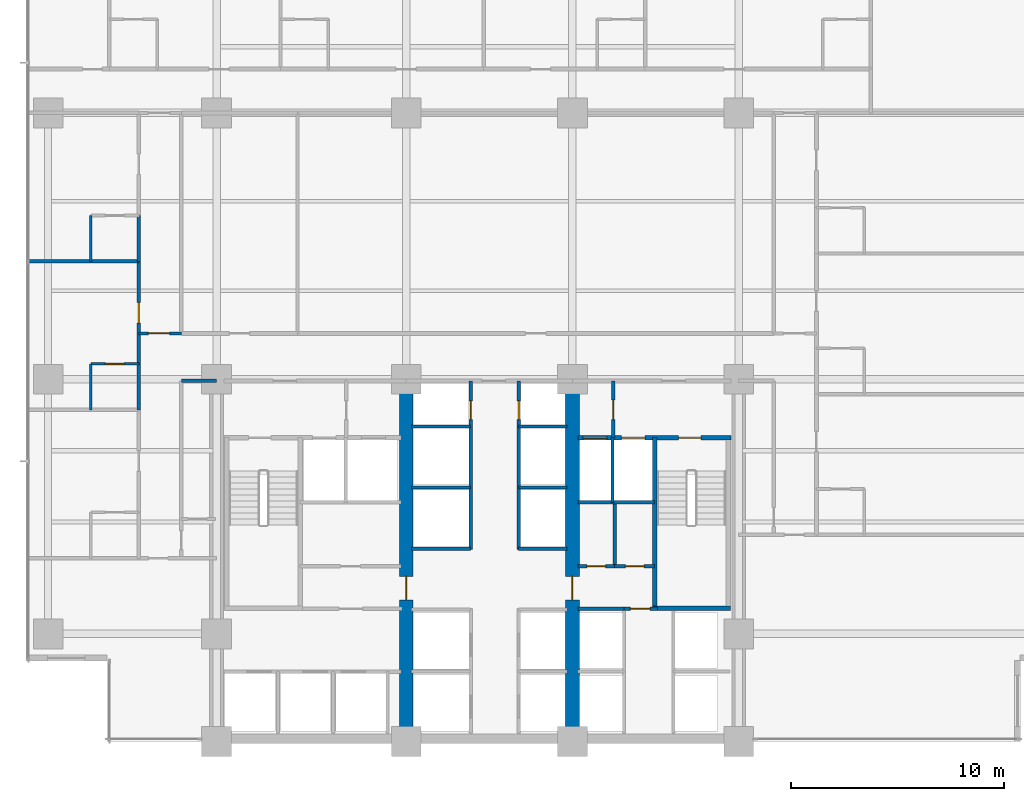
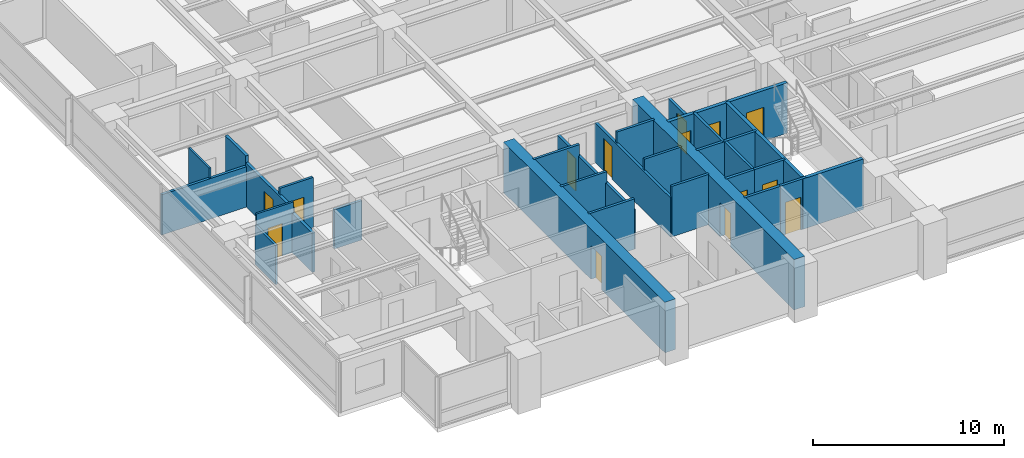
# One storey, part 8 of 17: 30 walls, 14 doors, 14 openings.
"""IFC4 building model written with IfcOpenShell, lengths in metres."""

import ifcopenshell
import ifcopenshell.guid

model = None  # the IFC model being written
_history = None  # IfcOwnerHistory: only IFC2X3 demands one
_inside = {}  # id of a spatial element -> (the spatial element, [elements in it])
_under = {}  # id of a project, library or spatial element -> (it, [spatial elements below it])
_declared = {}  # id of a project -> (the project, [libraries it declares])
_typed = {}  # id of a type object -> (the type object, [elements of that type])
_made_of = {}  # id of a material, layer set ... -> (it, [elements and type objects made of it])


def new_model(schema):
    """Start an empty IFC model of exactly this schema.

    Asked for "IFC4X3", IfcOpenShell would pick the latest addendum, in which some entities
    have other attributes; the version numbers below select the first issue.
    IFC2X3 requires an IfcOwnerHistory on every rooted entity: one is made here for all.
    """
    global model, _history
    if schema == "IFC4X3":
        model = ifcopenshell.file(schema_version=(4, 3, 0, 0))
    else:
        model = ifcopenshell.file(schema=schema)
    _inside.clear()
    _under.clear()
    _declared.clear()
    _typed.clear()
    _made_of.clear()
    _history = None
    if model.schema == "IFC2X3":
        org = make("IfcOrganization", Name="unknown")
        user = make(
            "IfcPersonAndOrganization",
            ThePerson=make("IfcPerson", FamilyName="unknown"),
            TheOrganization=org,
        )
        app = make(
            "IfcApplication",
            ApplicationDeveloper=org,
            Version="unknown",
            ApplicationFullName="unknown",
            ApplicationIdentifier="unknown",
        )
        _history = make(
            "IfcOwnerHistory",
            OwningUser=user,
            OwningApplication=app,
            ChangeAction="ADDED",
            CreationDate=0,
        )
    return model


def make(cls, **values):
    """One entity of the class cls with the attributes given. An attribute that is None is left unset."""
    return model.create_entity(
        cls, **{name: value for name, value in values.items() if value is not None}
    )


def rooted(cls, **values):
    """An entity with a GlobalId (a new one), such as an element, a storey or a relation."""
    return make(cls, GlobalId=ifcopenshell.guid.new(), OwnerHistory=_history, **values)


def si_unit(unit_type, name, prefix=None):
    """IfcSIUnit, for example si_unit("LENGTHUNIT", "METRE", prefix="MILLI")."""
    return make("IfcSIUnit", UnitType=unit_type, Prefix=prefix, Name=name)


def assignment(units):
    """IfcUnitAssignment: the units of a project."""
    return None if units is None else make("IfcUnitAssignment", Units=units)


def point(xyz):
    """IfcCartesianPoint."""
    return None if xyz is None else make("IfcCartesianPoint", Coordinates=xyz)


def direction(xyz):
    """IfcDirection."""
    return None if xyz is None else make("IfcDirection", DirectionRatios=xyz)


def frame(location, z_axis=None, x_axis=None):
    """IfcAxis2Placement3D, a coordinate frame: its origin and axes. An axis left out is left unset."""
    return make(
        "IfcAxis2Placement3D",
        Location=point(location),
        Axis=direction(z_axis),
        RefDirection=direction(x_axis),
    )


def frame_2d(location, x_axis=None):
    """IfcAxis2Placement2D, a coordinate frame in the plane: its origin and x axis."""
    return make(
        "IfcAxis2Placement2D", Location=point(location), RefDirection=direction(x_axis)
    )


def origin():
    """The frame at (0, 0, 0) with its axes left unset."""
    return frame((0.0, 0.0, 0.0))


def place(relative_to, where):
    """IfcLocalPlacement: puts the frame where relative to a parent placement (None: the world)."""
    return make(
        "IfcLocalPlacement", PlacementRelTo=relative_to, RelativePlacement=where
    )


def context(
    kind, dimensions, precision=None, world=None, true_north=None, identifier=None
):
    """IfcGeometricRepresentationContext, for example the 3D "Model" context."""
    return make(
        "IfcGeometricRepresentationContext",
        ContextIdentifier=identifier,
        ContextType=kind,
        CoordinateSpaceDimension=dimensions,
        Precision=precision,
        WorldCoordinateSystem=world,
        TrueNorth=true_north,
    )


def subcontext(parent, identifier, kind, view, scale=None):
    """IfcGeometricRepresentationSubContext, for example "Body" below "Model"."""
    return make(
        "IfcGeometricRepresentationSubContext",
        ContextIdentifier=identifier,
        ContextType=kind,
        ParentContext=parent,
        TargetScale=scale,
        TargetView=view,
    )


def project(units=None, contexts=None):
    """IfcProject with its units and contexts."""
    return rooted(
        "IfcProject",
        Name="project",
        RepresentationContexts=contexts,
        UnitsInContext=assignment(units),
    )


def spatial(cls, under=None, at=None, **own):
    """A site, building, storey or space (cls), placed at a placement, below another one or the project."""
    s = rooted(cls, ObjectPlacement=at, **own)
    if under is not None:
        _under.setdefault(under.id(), (under, []))[1].append(s)
    return s


def profile(cls, at=None, kind="AREA", **sizes):
    """A parametric profile (cls). Its sizes go by their IFC names, for example OverallWidth=200.0."""
    return make(cls, ProfileType=kind, Position=at, **sizes)


def rectangle(**sizes):
    """IfcRectangleProfileDef."""
    return profile("IfcRectangleProfileDef", **sizes)


def extrude(swept, where, along, depth):
    """IfcExtrudedAreaSolid: the profile swept, set in the frame where, extruded along a direction by depth."""
    return make(
        "IfcExtrudedAreaSolid",
        SweptArea=swept,
        Position=where,
        ExtrudedDirection=direction(along),
        Depth=depth,
    )


def shape(context_of_items, identifier, shape_type, items):
    """IfcShapeRepresentation: the items that make up one representation, for example the "Body"."""
    return make(
        "IfcShapeRepresentation",
        ContextOfItems=context_of_items,
        RepresentationIdentifier=identifier,
        RepresentationType=shape_type,
        Items=items,
    )


def material(Name=None, Category=None):
    """IfcMaterial."""
    return make("IfcMaterial", Name=Name, Category=Category)


def layer(
    of_material, thickness, ventilated=None, Name=None, Category=None, Priority=None
):
    """IfcMaterialLayer: one layer of a wall or slab, of a material (None: an air gap)."""
    return make(
        "IfcMaterialLayer",
        Material=of_material,
        LayerThickness=thickness,
        IsVentilated=ventilated,
        Name=Name,
        Category=Category,
        Priority=Priority,
    )


def layer_set(layers, Name=None):
    """IfcMaterialLayerSet."""
    return make("IfcMaterialLayerSet", MaterialLayers=layers, LayerSetName=Name)


def made_of(thing, what):
    """Note that an element or type object is made of a material, layer set ...; save() writes the relation."""
    if what is not None:
        _made_of.setdefault(what.id(), (what, []))[1].append(thing)
    return thing


def type_object(cls, material=None, **own):
    """A type object (cls), such as IfcWallType, which elements share."""
    return made_of(rooted(cls, **own), material)


def element(
    cls,
    number,
    at=None,
    inside=None,
    cuts=None,
    type_object=None,
    material=None,
    context=None,
    identifier="Body",
    shape_type=None,
    held_by="IfcProductDefinitionShape",
    body=None,
    shapes=None,
    **own,
):
    """One element of the class cls, such as IfcWall. Its Tag is "e" and its number.

    at: its placement. inside: the storey or other place that contains it. cuts: it is an
    opening in that element (IfcRelVoidsElement). A single representation is given by context,
    identifier, shape_type and body (its items); several are given by shapes. held_by: the class
    of the entity that holds the representations. save() writes the other relations.
    """
    e = rooted(cls, Tag="e%d" % number, ObjectPlacement=at, **own)
    if body is not None:
        shapes = [shape(context, identifier, shape_type, body)]
    if shapes is not None:
        e.Representation = make(held_by, Representations=shapes)
    if inside is not None:
        _inside.setdefault(inside.id(), (inside, []))[1].append(e)
    if cuts is not None:
        rooted(
            "IfcRelVoidsElement", RelatingBuildingElement=cuts, RelatedOpeningElement=e
        )
    if type_object is not None:
        _typed.setdefault(type_object.id(), (type_object, []))[1].append(e)
    return made_of(e, material)


def fill(opening, filler):
    """IfcRelFillsElement: the door or window that sits in an opening."""
    return rooted(
        "IfcRelFillsElement",
        RelatingOpeningElement=opening,
        RelatedBuildingElement=filler,
    )


def aggregate(whole, parts):
    """IfcRelAggregates: a whole, such as a stair, and the parts it consists of."""
    return rooted("IfcRelAggregates", RelatingObject=whole, RelatedObjects=parts)


def save(model, path):
    """Write the relations noted so far, then the file.

    IfcRelAggregates (storeys below a building ...), IfcRelContainedInSpatialStructure (elements
    in a storey), IfcRelDefinesByType, IfcRelAssociatesMaterial and IfcRelDeclares: one each for
    every whole, place, type object, material and project.
    """
    for whole, parts in _under.values():
        aggregate(whole, parts)
    for where, things in _inside.values():
        rooted(
            "IfcRelContainedInSpatialStructure",
            RelatedElements=things,
            RelatingStructure=where,
        )
    for kind, things in _typed.values():
        rooted("IfcRelDefinesByType", RelatedObjects=things, RelatingType=kind)
    for what, things in _made_of.values():
        rooted("IfcRelAssociatesMaterial", RelatedObjects=things, RelatingMaterial=what)
    for by, libraries in _declared.values():
        rooted("IfcRelDeclares", RelatingContext=by, RelatedDefinitions=libraries)
    model.write(path)


model = new_model("IFC4")

# Units and contexts
model_context = context("Model", 3, precision=1e-05, world=origin(), true_north=direction((0.0, 1.0)))
body_context = subcontext(model_context, "Body", "Model", "MODEL_VIEW")
ifc_project = project(units=[si_unit("LENGTHUNIT", "METRE"), si_unit("AREAUNIT", "SQUARE_METRE"), si_unit("VOLUMEUNIT", "CUBIC_METRE"), si_unit("PLANEANGLEUNIT", "RADIAN"), si_unit("MASSUNIT", "GRAM", prefix="KILO")], contexts=[model_context])

# Site, building, storey
site_placement = place(None, origin())
site = spatial("IfcSite", under=ifc_project, at=site_placement, CompositionType="ELEMENT")
building_placement = place(site_placement, origin())
building = spatial("IfcBuilding", under=site, at=building_placement, Name="Qalmaran Belvedere Hotel", CompositionType="ELEMENT")
storey_placement = place(building_placement, frame((0.0, 0.0, 68.39990234375)))
storey = spatial("IfcBuildingStorey", under=building, at=storey_placement, Name="L17", CompositionType="ELEMENT", Elevation=68.39990234375)

# Wall, opening, door
ifc_material_1 = material(Name="Concrete C60/75", Category="concrete")
ifc_layer_1 = layer(ifc_material_1, 0.64990234375, Name="Concrete C60/75")
ifc_layer_set_1 = layer_set([ifc_layer_1], Name="Concrete C60/75")
wall_type_1 = type_object("IfcWallType", Name="WL-CORE-650-C60", PredefinedType="SHEAR", material=ifc_layer_set_1)
wall_1_placement = place(storey_placement, frame((29.199951171875, 3.5, 0.0), z_axis=(0.0, 0.0, 1.0), x_axis=(0.0, 1.0, 0.0)))
wall_1 = element("IfcWall", 1, at=wall_1_placement, inside=storey, type_object=wall_type_1, Name="L17 Core West Spine Shear Wall", PredefinedType="SHEAR", context=body_context, shape_type="SweptSolid", body=[
    extrude(rectangle(XDim=16.89990234375, YDim=0.64990234375, at=frame_2d((8.449951171875, 0.0))), origin(), (0.0, 0.0, 1.0), 3.22021484375),
])
opening_1_placement = place(wall_1_placement, frame((7.75, 0.0, 0.0), z_axis=(0.0, 0.0, 1.0), x_axis=(-1.0, 0.0, 0.0)))
opening_1 = element("IfcOpeningElement", 2, at=opening_1_placement, cuts=wall_1, Name="Opening FD90", PredefinedType="OPENING", context=body_context, shape_type="SweptSolid", body=[
    extrude(rectangle(XDim=1.10009765625, YDim=2.14990234375, at=frame_2d((0.550048828125, 1.074951171875))), frame((0.0, 0.3349609375, 0.0), z_axis=(0.0, -1.0, 0.0), x_axis=(1.0, 0.0, 0.0)), (0.0, 0.0, 1.0), 0.669921875),
])
ifc_material_2 = material(Name="Steel S355JR", Category="steel")
door_type_1 = type_object("IfcDoorType", Name="DR-FD90-1100X2150", OperationType="NOTDEFINED", PredefinedType="DOOR", material=ifc_material_2)
door_1_placement = place(opening_1_placement, origin())
door_1 = element("IfcDoor", 3, at=door_1_placement, inside=storey, type_object=door_type_1, Name="L17 Core West Cross-Lobby Door", OperationType="SINGLE_SWING_LEFT", OverallHeight=2.14990234375, OverallWidth=1.10009765625, PredefinedType="DOOR", context=body_context, shape_type="SweptSolid", body=[
    extrude(rectangle(XDim=1.10009765625, YDim=2.14990234375, at=frame_2d((0.550048828125, 1.074951171875))), frame((0.0, 0.02490234375, 0.0), z_axis=(0.0, -1.0, 0.0), x_axis=(1.0, 0.0, 0.0)), (0.0, 0.0, 1.0), 0.050048828125),
])
fill(opening_1, door_1)

wall_2_placement = place(storey_placement, frame((37.0, 3.5, 0.0), z_axis=(0.0, 0.0, 1.0), x_axis=(0.0, 1.0, 0.0)))
wall_2 = element("IfcWall", 4, at=wall_2_placement, inside=storey, type_object=wall_type_1, Name="L17 Core East Spine Shear Wall", PredefinedType="SHEAR", context=body_context, shape_type="SweptSolid", body=[
    extrude(rectangle(XDim=16.89990234375, YDim=0.64990234375, at=frame_2d((8.449951171875, 0.0))), origin(), (0.0, 0.0, 1.0), 3.22021484375),
])
opening_2_placement = place(wall_2_placement, frame((6.64990234375, 0.0, 0.0)))
opening_2 = element("IfcOpeningElement", 5, at=opening_2_placement, cuts=wall_2, Name="Opening FD90", PredefinedType="OPENING", context=body_context, shape_type="SweptSolid", body=[
    extrude(rectangle(XDim=1.10009765625, YDim=2.14990234375, at=frame_2d((0.550048828125, 1.074951171875))), frame((0.0, 0.3349609375, 0.0), z_axis=(0.0, -1.0, 0.0), x_axis=(1.0, 0.0, 0.0)), (0.0, 0.0, 1.0), 0.669921875),
])
door_2_placement = place(opening_2_placement, origin())
door_2 = element("IfcDoor", 6, at=door_2_placement, inside=storey, type_object=door_type_1, Name="L17 Core East Cross-Lobby Door", OperationType="SINGLE_SWING_RIGHT", OverallHeight=2.14990234375, OverallWidth=1.10009765625, PredefinedType="DOOR", context=body_context, shape_type="SweptSolid", body=[
    extrude(rectangle(XDim=1.10009765625, YDim=2.14990234375, at=frame_2d((0.550048828125, 1.074951171875))), frame((0.0, 0.02490234375, 0.0), z_axis=(0.0, -1.0, 0.0), x_axis=(1.0, 0.0, 0.0)), (0.0, 0.0, 1.0), 0.050048828125),
])
fill(opening_2, door_2)

ifc_material_3 = material(Name="Moisture-Resistant Gypsum")
ifc_layer_2 = layer(ifc_material_3, 0.1201171875, Name="Moisture-Resistant Gypsum")
ifc_layer_set_2 = layer_set([ifc_layer_2], Name="Moisture-Resistant Gypsum")
wall_type_2 = type_object("IfcWallType", Name="WL-INT-120-BATH", PredefinedType="PARTITIONING", material=ifc_layer_set_2)
wall_3_placement = place(storey_placement, frame((14.39990234375, 21.216796875, 0.0), z_axis=(0.0, 0.0, 1.0), x_axis=(1.0, 0.0, 0.0)))
wall_3 = element("IfcWall", 7, at=wall_3_placement, inside=storey, type_object=wall_type_2, Name="L17 Partition WL-L17-WBN01", PredefinedType="PARTITIONING", context=body_context, shape_type="SweptSolid", body=[
    extrude(rectangle(XDim=2.25, YDim=0.1201171875, at=frame_2d((1.125, 0.0))), origin(), (0.0, 0.0, 1.0), 3.22021484375),
])
opening_3_placement = place(wall_3_placement, frame((1.56494140625, 0.0, 0.0), z_axis=(0.0, 0.0, 1.0), x_axis=(-1.0, 0.0, 0.0)))
opening_3 = element("IfcOpeningElement", 8, at=opening_3_placement, cuts=wall_3, Name="Opening D-BATH", PredefinedType="OPENING", context=body_context, shape_type="SweptSolid", body=[
    extrude(rectangle(XDim=0.8798828125, YDim=2.080078125, at=frame_2d((0.43994140625, 1.0400390625))), frame((0.0, 0.070068359375, 0.0), z_axis=(0.0, -1.0, 0.0), x_axis=(1.0, 0.0, 0.0)), (0.0, 0.0, 1.0), 0.14013671875),
])
ifc_material_4 = material(Name="Engineered Oak Veneer")
door_type_2 = type_object("IfcDoorType", Name="DR-INT-BATH-880X2080", OperationType="NOTDEFINED", PredefinedType="DOOR", material=ifc_material_4)
door_3_placement = place(opening_3_placement, origin())
door_3 = element("IfcDoor", 9, at=door_3_placement, inside=storey, type_object=door_type_2, Name="L17 W Ensuite Door 02", OperationType="SINGLE_SWING_LEFT", OverallHeight=2.080078125, OverallWidth=0.8798828125, PredefinedType="DOOR", context=body_context, shape_type="SweptSolid", body=[
    extrude(rectangle(XDim=0.8798828125, YDim=2.080078125, at=frame_2d((0.43994140625, 1.0400390625))), frame((0.0, 0.02490234375, 0.0), z_axis=(0.0, -1.0, 0.0), x_axis=(1.0, 0.0, 0.0)), (0.0, 0.0, 1.0), 0.050048828125),
])
fill(opening_3, door_3)

# Walls
wall_4_placement = place(storey_placement, frame((14.39990234375, 19.066650390625, 0.0), z_axis=(0.0, 0.0, 1.0), x_axis=(0.0, 1.0, 0.0)))
element("IfcWall", 10, at=wall_4_placement, inside=storey, type_object=wall_type_2, Name="L17 Partition WL-L17-WBS01", PredefinedType="PARTITIONING", context=body_context, shape_type="SweptSolid", body=[
    extrude(rectangle(XDim=2.150146484375, YDim=0.1201171875, at=frame_2d((1.0751953125, 0.0))), origin(), (0.0, 0.0, 1.0), 2.510009765625),
])
wall_5_placement = place(storey_placement, frame((14.39990234375, 26.033203125, 0.0), z_axis=(0.0, 0.0, 1.0), x_axis=(0.0, 1.0, 0.0)))
element("IfcWall", 11, at=wall_5_placement, inside=storey, type_object=wall_type_2, Name="L17 Partition WL-L17-WBS02", PredefinedType="PARTITIONING", context=body_context, shape_type="SweptSolid", body=[
    extrude(rectangle(XDim=2.150146484375, YDim=0.1201171875, at=frame_2d((1.0751953125, 0.0))), origin(), (0.0, 0.0, 1.0), 3.22021484375),
])
ifc_material_5 = material(Name="Gypsum Stud Partition")
ifc_layer_3 = layer(ifc_material_5, 0.14990234375, Name="Gypsum Stud Partition")
ifc_layer_set_3 = layer_set([ifc_layer_3], Name="Gypsum Stud Partition")
wall_type_3 = type_object("IfcWallType", Name="WL-INT-150-EI120", PredefinedType="PARTITIONING", material=ifc_layer_set_3)
wall_6_placement = place(storey_placement, frame((38.8798828125, 14.719970703125, 0.0), z_axis=(0.0, 0.0, 1.0), x_axis=(0.0, 1.0, 0.0)))
element("IfcWall", 12, at=wall_6_placement, inside=storey, type_object=wall_type_3, Name="L17 Partition WL-FF2M-L17", PredefinedType="PARTITIONING", context=body_context, shape_type="SweptSolid", body=[
    extrude(rectangle(XDim=3.0400390625, YDim=0.14990234375, at=frame_2d((1.52001953125, 0.0))), origin(), (0.0, 0.0, 1.0), 3.22021484375),
])
wall_7_placement = place(storey_placement, frame((29.449951171875, 12.550048828125, 0.0), z_axis=(0.0, 0.0, 1.0), x_axis=(1.0, 0.0, 0.0)))
element("IfcWall", 13, at=wall_7_placement, inside=storey, type_object=wall_type_3, Name="L17 Partition WL-PMW-L17-125", PredefinedType="PARTITIONING", context=body_context, shape_type="SweptSolid", body=[
    extrude(rectangle(XDim=2.77001953125, YDim=0.14990234375, at=frame_2d((1.385009765625, 0.0))), origin(), (0.0, 0.0, 1.0), 3.22021484375),
])
wall_8_placement = place(storey_placement, frame((34.47998046875, 12.550048828125, 0.0), z_axis=(0.0, 0.0, 1.0), x_axis=(1.0, 0.0, 0.0)))
element("IfcWall", 14, at=wall_8_placement, inside=storey, type_object=wall_type_3, Name="L17 Partition WL-PME-L17-125", PredefinedType="PARTITIONING", context=body_context, shape_type="SweptSolid", body=[
    extrude(rectangle(XDim=2.27001953125, YDim=0.14990234375, at=frame_2d((1.135009765625, 0.0))), origin(), (0.0, 0.0, 1.0), 3.22021484375),
])
wall_9_placement = place(storey_placement, frame((29.449951171875, 15.419921875, 0.0), z_axis=(0.0, 0.0, 1.0), x_axis=(1.0, 0.0, 0.0)))
element("IfcWall", 15, at=wall_9_placement, inside=storey, type_object=wall_type_3, Name="L17 Partition WL-PMW-L17-154", PredefinedType="PARTITIONING", context=body_context, shape_type="SweptSolid", body=[
    extrude(rectangle(XDim=2.77001953125, YDim=0.14990234375, at=frame_2d((1.385009765625, 0.0))), origin(), (0.0, 0.0, 1.0), 3.22021484375),
])
wall_10_placement = place(storey_placement, frame((34.47998046875, 15.419921875, 0.0), z_axis=(0.0, 0.0, 1.0), x_axis=(1.0, 0.0, 0.0)))
element("IfcWall", 16, at=wall_10_placement, inside=storey, type_object=wall_type_3, Name="L17 Partition WL-PME-L17-154", PredefinedType="PARTITIONING", context=body_context, shape_type="SweptSolid", body=[
    extrude(rectangle(XDim=2.27001953125, YDim=0.14990234375, at=frame_2d((1.135009765625, 0.0))), origin(), (0.0, 0.0, 1.0), 3.22021484375),
])
wall_11_placement = place(storey_placement, frame((29.449951171875, 18.280029296875, 0.0), z_axis=(0.0, 0.0, 1.0), x_axis=(1.0, 0.0, 0.0)))
element("IfcWall", 17, at=wall_11_placement, inside=storey, type_object=wall_type_3, Name="L17 Partition WL-PMW-L17-182", PredefinedType="PARTITIONING", context=body_context, shape_type="SweptSolid", body=[
    extrude(rectangle(XDim=2.77001953125, YDim=0.14990234375, at=frame_2d((1.385009765625, 0.0))), origin(), (0.0, 0.0, 1.0), 3.22021484375),
])
wall_12_placement = place(storey_placement, frame((34.47998046875, 18.280029296875, 0.0), z_axis=(0.0, 0.0, 1.0), x_axis=(1.0, 0.0, 0.0)))
element("IfcWall", 18, at=wall_12_placement, inside=storey, type_object=wall_type_3, Name="L17 Partition WL-PME-L17-182", PredefinedType="PARTITIONING", context=body_context, shape_type="SweptSolid", body=[
    extrude(rectangle(XDim=2.27001953125, YDim=0.14990234375, at=frame_2d((1.135009765625, 0.0))), origin(), (0.0, 0.0, 1.0), 3.22021484375),
])
ifc_layer_4 = layer(ifc_material_5, 0.14990234375, Name="Gypsum Stud Partition")
ifc_layer_set_4 = layer_set([ifc_layer_4], Name="Gypsum Stud Partition")
wall_type_4 = type_object("IfcWallType", Name="WL-INT-150-EI60", PredefinedType="PARTITIONING", material=ifc_layer_set_4)
wall_13_placement = place(storey_placement, frame((38.98291015625, 11.719970703125, 0.0), z_axis=(0.0, 0.0, 1.0), x_axis=(0.0, 1.0, 0.0)))
element("IfcWall", 19, at=wall_13_placement, inside=storey, type_object=wall_type_4, Name="L17 Partition WL-L17-KEV1", PredefinedType="PARTITIONING", context=body_context, shape_type="SweptSolid", body=[
    extrude(rectangle(XDim=2.929931640625, YDim=0.14990234375, at=frame_2d((1.46484375, 0.0))), origin(), (0.0, 0.0, 1.0), 3.22021484375),
])

# Wall, opening, door
wall_14_placement = place(storey_placement, frame((16.64990234375, 22.64990234375, 0.0), z_axis=(0.0, 0.0, 1.0), x_axis=(1.0, 0.0, 0.0)))
wall_14 = element("IfcWall", 20, at=wall_14_placement, inside=storey, type_object=wall_type_4, Name="L17 Partition WL-L17-XCW1", PredefinedType="PARTITIONING", context=body_context, shape_type="SweptSolid", body=[
    extrude(rectangle(XDim=2.0, YDim=0.14990234375, at=frame_2d((1.0, 0.0))), origin(), (0.0, 0.0, 1.0), 3.22021484375),
])
opening_4_placement = place(wall_14_placement, frame((0.449951171875, 0.0, 0.0)))
opening_4 = element("IfcOpeningElement", 21, at=opening_4_placement, cuts=wall_14, Name="Opening FD90B", PredefinedType="OPENING", context=body_context, shape_type="SweptSolid", body=[
    extrude(rectangle(XDim=1.0, YDim=2.14990234375, at=frame_2d((0.5, 1.074951171875))), frame((0.0, 0.0849609375, 0.0), z_axis=(0.0, -1.0, 0.0), x_axis=(1.0, 0.0, 0.0)), (0.0, 0.0, 1.0), 0.169921875),
])
door_type_3 = type_object("IfcDoorType", Name="DR-FD90B-1000X2150", OperationType="NOTDEFINED", PredefinedType="DOOR", material=ifc_material_2)
door_4_placement = place(opening_4_placement, origin())
door_4 = element("IfcDoor", 22, at=door_4_placement, inside=storey, type_object=door_type_3, Name="L17 West Corridor Smoke Door S", OperationType="SINGLE_SWING_LEFT", OverallHeight=2.14990234375, OverallWidth=1.0, PredefinedType="DOOR", context=body_context, shape_type="SweptSolid", body=[
    extrude(rectangle(XDim=1.0, YDim=2.14990234375, at=frame_2d((0.5, 1.074951171875))), frame((0.0, 0.02490234375, 0.0), z_axis=(0.0, -1.0, 0.0), x_axis=(1.0, 0.0, 0.0)), (0.0, 0.0, 1.0), 0.050048828125),
])
fill(opening_4, door_4)

ifc_layer_5 = layer(ifc_material_5, 0.159912109375, Name="Gypsum Stud Partition")
ifc_layer_set_5 = layer_set([ifc_layer_5], Name="Gypsum Stud Partition")
wall_type_5 = type_object("IfcWallType", Name="WL-INT-160-EI120", PredefinedType="PARTITIONING", material=ifc_layer_set_5)
wall_15_placement = place(storey_placement, frame((38.919921875, 17.760009765625, 0.0), z_axis=(0.0, 0.0, 1.0), x_axis=(0.0, 1.0, 0.0)))
wall_15 = element("IfcWall", 23, at=wall_15_placement, inside=storey, type_object=wall_type_5, Name="L17 Partition WL-FFSV2-L17", PredefinedType="PARTITIONING", context=body_context, shape_type="SweptSolid", body=[
    extrude(rectangle(XDim=2.659912109375, YDim=0.159912109375, at=frame_2d((1.330078125, 0.0))), origin(), (0.0, 0.0, 1.0), 2.510009765625),
])
opening_5_placement = place(wall_15_placement, frame((1.77001953125, 0.0, 0.0), z_axis=(0.0, 0.0, 1.0), x_axis=(-1.0, 0.0, 0.0)))
opening_5 = element("IfcOpeningElement", 24, at=opening_5_placement, cuts=wall_15, Name="Opening FD60S1", PredefinedType="OPENING", context=body_context, shape_type="SweptSolid", body=[
    extrude(rectangle(XDim=0.919921875, YDim=2.080078125, at=frame_2d((0.4599609375, 1.0400390625))), frame((0.0, 0.08984375, 0.0), z_axis=(0.0, -1.0, 0.0), x_axis=(1.0, 0.0, 0.0)), (0.0, 0.0, 1.0), 0.179931640625),
])
door_type_4 = type_object("IfcDoorType", Name="DR-FD60S-920X2080", OperationType="NOTDEFINED", PredefinedType="DOOR", material=ifc_material_4)
door_5_placement = place(opening_5_placement, origin())
door_5 = element("IfcDoor", 25, at=door_5_placement, inside=storey, type_object=door_type_4, Name="L17 Service Lobby East Door", OperationType="SINGLE_SWING_RIGHT", OverallHeight=2.080078125, OverallWidth=0.919921875, PredefinedType="DOOR", context=body_context, shape_type="SweptSolid", body=[
    extrude(rectangle(XDim=0.919921875, YDim=2.080078125, at=frame_2d((0.4599609375, 1.0400390625))), frame((0.0, 0.02490234375, 0.0), z_axis=(0.0, -1.0, 0.0), x_axis=(1.0, 0.0, 0.0)), (0.0, 0.0, 1.0), 0.050048828125),
])
fill(opening_5, door_5)

# Walls
wall_16_placement = place(storey_placement, frame((37.25, 14.719970703125, 0.0), z_axis=(0.0, 0.0, 1.0), x_axis=(1.0, 0.0, 0.0)))
element("IfcWall", 26, at=wall_16_placement, inside=storey, type_object=wall_type_5, Name="L17 Partition WL-FF2S-L17", PredefinedType="PARTITIONING", context=body_context, shape_type="SweptSolid", body=[
    extrude(rectangle(XDim=3.610107421875, YDim=0.159912109375, at=frame_2d((1.80517578125, 0.0))), origin(), (0.0, 0.0, 1.0), 3.22021484375),
])
wall_17_placement = place(storey_placement, frame((37.25, 9.739990234375, 0.0), z_axis=(0.0, 0.0, 1.0), x_axis=(1.0, 0.0, 0.0)))
element("IfcWall", 27, at=wall_17_placement, inside=storey, type_object=wall_type_5, Name="L17 Partition WL-PHNW-L17", PredefinedType="PARTITIONING", context=body_context, shape_type="SweptSolid", body=[
    extrude(rectangle(XDim=2.169921875, YDim=0.159912109375, at=frame_2d((1.0849609375, 0.0))), origin(), (0.0, 0.0, 1.0), 3.22021484375),
])

# Wall, opening, door
wall_18_placement = place(storey_placement, frame((39.419921875, 9.739990234375, 0.0), z_axis=(0.0, 0.0, 1.0), x_axis=(1.0, 0.0, 0.0)))
wall_18 = element("IfcWall", 28, at=wall_18_placement, inside=storey, type_object=wall_type_5, Name="L17 Partition WL-PHNL-L17", PredefinedType="PARTITIONING", context=body_context, shape_type="SweptSolid", body=[
    extrude(rectangle(XDim=1.56005859375, YDim=0.159912109375, at=frame_2d((0.780029296875, 0.0))), origin(), (0.0, 0.0, 1.0), 3.22021484375),
])
opening_6_placement = place(wall_18_placement, frame((0.300048828125, 0.0, 0.0)))
opening_6 = element("IfcOpeningElement", 29, at=opening_6_placement, cuts=wall_18, Name="Opening FD60S1", PredefinedType="OPENING", context=body_context, shape_type="SweptSolid", body=[
    extrude(rectangle(XDim=0.919921875, YDim=2.080078125, at=frame_2d((0.4599609375, 1.0400390625))), frame((0.0, 0.08984375, 0.0), z_axis=(0.0, -1.0, 0.0), x_axis=(1.0, 0.0, 0.0)), (0.0, 0.0, 1.0), 0.179931640625),
])
door_6_placement = place(opening_6_placement, origin())
door_6 = element("IfcDoor", 30, at=door_6_placement, inside=storey, type_object=door_type_4, Name="L17 High-Rise Lift Lobby Passage Door", OperationType="SINGLE_SWING_RIGHT", OverallHeight=2.080078125, OverallWidth=0.919921875, PredefinedType="DOOR", context=body_context, shape_type="SweptSolid", body=[
    extrude(rectangle(XDim=0.919921875, YDim=2.080078125, at=frame_2d((0.4599609375, 1.0400390625))), frame((0.0, 0.02490234375, 0.0), z_axis=(0.0, -1.0, 0.0), x_axis=(1.0, 0.0, 0.0)), (0.0, 0.0, 1.0), 0.050048828125),
])
fill(opening_6, door_6)

wall_19_placement = place(storey_placement, frame((32.219970703125, 12.5, 0.0), z_axis=(0.0, 0.0, 1.0), x_axis=(0.0, 1.0, 0.0)))
wall_19 = element("IfcWall", 31, at=wall_19_placement, inside=storey, type_object=wall_type_5, Name="L17 Partition WL-CLBWN-L17", PredefinedType="PARTITIONING", context=body_context, shape_type="SweptSolid", body=[
    extrude(rectangle(XDim=7.919921875, YDim=0.159912109375, at=frame_2d((3.9599609375, 0.0))), origin(), (0.0, 0.0, 1.0), 2.510009765625),
])
opening_7_placement = place(wall_19_placement, frame((6.10009765625, 0.0, 0.0)))
opening_7 = element("IfcOpeningElement", 32, at=opening_7_placement, cuts=wall_19, Name="Opening FD60B", PredefinedType="OPENING", context=body_context, shape_type="SweptSolid", body=[
    extrude(rectangle(XDim=0.8798828125, YDim=2.080078125, at=frame_2d((0.43994140625, 1.0400390625))), frame((0.0, 0.08984375, 0.0), z_axis=(0.0, -1.0, 0.0), x_axis=(1.0, 0.0, 0.0)), (0.0, 0.0, 1.0), 0.179931640625),
])
door_type_5 = type_object("IfcDoorType", Name="DR-FD60B-880X2080", OperationType="NOTDEFINED", PredefinedType="DOOR", material=ifc_material_2)
door_7_placement = place(opening_7_placement, origin())
door_7 = element("IfcDoor", 33, at=door_7_placement, inside=storey, type_object=door_type_5, Name="L17 West Riser Access Door", OperationType="SINGLE_SWING_LEFT", OverallHeight=2.080078125, OverallWidth=0.8798828125, PredefinedType="DOOR", context=body_context, shape_type="SweptSolid", body=[
    extrude(rectangle(XDim=0.8798828125, YDim=2.080078125, at=frame_2d((0.43994140625, 1.0400390625))), frame((0.0, 0.02490234375, 0.0), z_axis=(0.0, -1.0, 0.0), x_axis=(1.0, 0.0, 0.0)), (0.0, 0.0, 1.0), 0.050048828125),
])
fill(opening_7, door_7)

wall_20_placement = place(storey_placement, frame((34.47998046875, 12.5, 0.0), z_axis=(0.0, 0.0, 1.0), x_axis=(0.0, 1.0, 0.0)))
wall_20 = element("IfcWall", 34, at=wall_20_placement, inside=storey, type_object=wall_type_5, Name="L17 Partition WL-CLBEN-L17", PredefinedType="PARTITIONING", context=body_context, shape_type="SweptSolid", body=[
    extrude(rectangle(XDim=7.919921875, YDim=0.159912109375, at=frame_2d((3.9599609375, 0.0))), origin(), (0.0, 0.0, 1.0), 2.510009765625),
])
opening_8_placement = place(wall_20_placement, frame((6.97998046875, 0.0, 0.0), z_axis=(0.0, 0.0, 1.0), x_axis=(-1.0, 0.0, 0.0)))
opening_8 = element("IfcOpeningElement", 35, at=opening_8_placement, cuts=wall_20, Name="Opening FD60B", PredefinedType="OPENING", context=body_context, shape_type="SweptSolid", body=[
    extrude(rectangle(XDim=0.8798828125, YDim=2.080078125, at=frame_2d((0.43994140625, 1.0400390625))), frame((0.0, 0.08984375, 0.0), z_axis=(0.0, -1.0, 0.0), x_axis=(1.0, 0.0, 0.0)), (0.0, 0.0, 1.0), 0.179931640625),
])
door_8_placement = place(opening_8_placement, origin())
door_8 = element("IfcDoor", 36, at=door_8_placement, inside=storey, type_object=door_type_5, Name="L17 East Riser Access Door", OperationType="SINGLE_SWING_RIGHT", OverallHeight=2.080078125, OverallWidth=0.8798828125, PredefinedType="DOOR", context=body_context, shape_type="SweptSolid", body=[
    extrude(rectangle(XDim=0.8798828125, YDim=2.080078125, at=frame_2d((0.43994140625, 1.0400390625))), frame((0.0, 0.02490234375, 0.0), z_axis=(0.0, -1.0, 0.0), x_axis=(1.0, 0.0, 0.0)), (0.0, 0.0, 1.0), 0.050048828125),
])
fill(opening_8, door_8)

ifc_layer_6 = layer(ifc_material_5, 0.159912109375, Name="Gypsum Stud Partition")
ifc_layer_set_6 = layer_set([ifc_layer_6], Name="Gypsum Stud Partition")
wall_type_6 = type_object("IfcWallType", Name="WL-INT-160-EI60", PredefinedType="PARTITIONING", material=ifc_layer_set_6)
wall_21_placement = place(storey_placement, frame((37.25, 11.719970703125, 0.0), z_axis=(0.0, 0.0, 1.0), x_axis=(1.0, 0.0, 0.0)))
wall_21 = element("IfcWall", 37, at=wall_21_placement, inside=storey, type_object=wall_type_6, Name="L17 Partition WL-L17-KEE1", PredefinedType="PARTITIONING", context=body_context, shape_type="SweptSolid", body=[
    extrude(rectangle(XDim=1.73291015625, YDim=0.159912109375, at=frame_2d((0.866455078125, 0.0))), origin(), (0.0, 0.0, 1.0), 3.22021484375),
])
opening_9_placement = place(wall_21_placement, frame((0.426513671875, 0.0, 0.0)))
opening_9 = element("IfcOpeningElement", 38, at=opening_9_placement, cuts=wall_21, Name="Opening FD60B", PredefinedType="OPENING", context=body_context, shape_type="SweptSolid", body=[
    extrude(rectangle(XDim=0.8798828125, YDim=2.080078125, at=frame_2d((0.43994140625, 1.0400390625))), frame((0.0, 0.08984375, 0.0), z_axis=(0.0, -1.0, 0.0), x_axis=(1.0, 0.0, 0.0)), (0.0, 0.0, 1.0), 0.179931640625),
])
door_9_placement = place(opening_9_placement, origin())
door_9 = element("IfcDoor", 39, at=door_9_placement, inside=storey, type_object=door_type_5, Name="L17 Cleaner Equipment Store Door", OperationType="SINGLE_SWING_LEFT", OverallHeight=2.080078125, OverallWidth=0.8798828125, PredefinedType="DOOR", context=body_context, shape_type="SweptSolid", body=[
    extrude(rectangle(XDim=0.8798828125, YDim=2.080078125, at=frame_2d((0.43994140625, 1.0400390625))), frame((0.0, 0.02490234375, 0.0), z_axis=(0.0, -1.0, 0.0), x_axis=(1.0, 0.0, 0.0)), (0.0, 0.0, 1.0), 0.050048828125),
])
fill(opening_9, door_9)

wall_22_placement = place(storey_placement, frame((38.98291015625, 11.719970703125, 0.0), z_axis=(0.0, 0.0, 1.0), x_axis=(1.0, 0.0, 0.0)))
wall_22 = element("IfcWall", 40, at=wall_22_placement, inside=storey, type_object=wall_type_6, Name="L17 Partition WL-L17-KEE2", PredefinedType="PARTITIONING", context=body_context, shape_type="SweptSolid", body=[
    extrude(rectangle(XDim=1.877197265625, YDim=0.159912109375, at=frame_2d((0.9384765625, 0.0))), origin(), (0.0, 0.0, 1.0), 3.22021484375),
])
opening_10_placement = place(wall_22_placement, frame((0.49853515625, 0.0, 0.0)))
opening_10 = element("IfcOpeningElement", 41, at=opening_10_placement, cuts=wall_22, Name="Opening FD60B", PredefinedType="OPENING", context=body_context, shape_type="SweptSolid", body=[
    extrude(rectangle(XDim=0.8798828125, YDim=2.080078125, at=frame_2d((0.43994140625, 1.0400390625))), frame((0.0, 0.08984375, 0.0), z_axis=(0.0, -1.0, 0.0), x_axis=(1.0, 0.0, 0.0)), (0.0, 0.0, 1.0), 0.179931640625),
])
door_10_placement = place(opening_10_placement, origin())
door_10 = element("IfcDoor", 42, at=door_10_placement, inside=storey, type_object=door_type_5, Name="L17 Low Voltage Switch Room Door", OperationType="SINGLE_SWING_RIGHT", OverallHeight=2.080078125, OverallWidth=0.8798828125, PredefinedType="DOOR", context=body_context, shape_type="SweptSolid", body=[
    extrude(rectangle(XDim=0.8798828125, YDim=2.080078125, at=frame_2d((0.43994140625, 1.0400390625))), frame((0.0, 0.02490234375, 0.0), z_axis=(0.0, -1.0, 0.0), x_axis=(1.0, 0.0, 0.0)), (0.0, 0.0, 1.0), 0.050048828125),
])
fill(opening_10, door_10)

# Walls
wall_23_placement = place(storey_placement, frame((18.64990234375, 20.419921875, 0.0), z_axis=(0.0, 0.0, 1.0), x_axis=(1.0, 0.0, 0.0)))
element("IfcWall", 43, at=wall_23_placement, inside=storey, type_object=wall_type_6, Name="L17 Partition WL-L17-WCLN", PredefinedType="PARTITIONING", context=body_context, shape_type="SweptSolid", body=[
    extrude(rectangle(XDim=1.650146484375, YDim=0.159912109375, at=frame_2d((0.8251953125, 0.0))), origin(), (0.0, 0.0, 1.0), 2.510009765625),
])
wall_24_placement = place(storey_placement, frame((11.469970703125, 26.033203125, 0.0), z_axis=(0.0, 0.0, 1.0), x_axis=(1.0, 0.0, 0.0)))
element("IfcWall", 44, at=wall_24_placement, inside=storey, type_object=wall_type_6, Name="L17 Partition WL-L17-WU01", PredefinedType="PARTITIONING", context=body_context, shape_type="SweptSolid", body=[
    extrude(rectangle(XDim=5.179931640625, YDim=0.159912109375, at=frame_2d((2.58984375, 0.0))), origin(), (0.0, 0.0, 1.0), 2.5830078125),
])
ifc_layer_7 = layer(ifc_material_5, 0.179931640625, Name="Gypsum Stud Partition")
ifc_layer_set_7 = layer_set([ifc_layer_7], Name="Gypsum Stud Partition")
wall_type_7 = type_object("IfcWallType", Name="WL-INT-180-EI60", PredefinedType="PARTITIONING", material=ifc_layer_set_7)
wall_25_placement = place(storey_placement, frame((16.64990234375, 19.066650390625, 0.0), z_axis=(0.0, 0.0, 1.0), x_axis=(0.0, 1.0, 0.0)))
element("IfcWall", 45, at=wall_25_placement, inside=storey, type_object=wall_type_7, Name="L17 Partition WL-L17-WBC01", PredefinedType="PARTITIONING", context=body_context, shape_type="SweptSolid", body=[
    extrude(rectangle(XDim=2.150146484375, YDim=0.179931640625, at=frame_2d((1.0751953125, 0.0))), origin(), (0.0, 0.0, 1.0), 2.510009765625),
])

# Wall, opening, door
wall_26_placement = place(storey_placement, frame((16.64990234375, 21.216796875, 0.0), z_axis=(0.0, 0.0, 1.0), x_axis=(0.0, 1.0, 0.0)))
wall_26 = element("IfcWall", 46, at=wall_26_placement, inside=storey, type_object=wall_type_7, Name="L17 Partition WL-L17-WEC01", PredefinedType="PARTITIONING", context=body_context, shape_type="SweptSolid", body=[
    extrude(rectangle(XDim=4.81640625, YDim=0.179931640625, at=frame_2d((2.408203125, 0.0))), origin(), (0.0, 0.0, 1.0), 2.7880859375),
])
opening_11_placement = place(wall_26_placement, frame((1.933349609375, 0.0, 0.0)))
opening_11 = element("IfcOpeningElement", 47, at=opening_11_placement, cuts=wall_26, Name="Opening FD60", PredefinedType="OPENING", context=body_context, shape_type="SweptSolid", body=[
    extrude(rectangle(XDim=0.949951171875, YDim=2.14990234375, at=frame_2d((0.47509765625, 1.074951171875))), frame((0.0, 0.10009765625, 0.0), z_axis=(0.0, -1.0, 0.0), x_axis=(1.0, 0.0, 0.0)), (0.0, 0.0, 1.0), 0.199951171875),
])
door_type_6 = type_object("IfcDoorType", Name="DR-FD60-950X2150", OperationType="NOTDEFINED", PredefinedType="DOOR", material=ifc_material_4)
door_11_placement = place(opening_11_placement, origin())
door_11 = element("IfcDoor", 48, at=door_11_placement, inside=storey, type_object=door_type_6, Name="L17 W Wing Door 02", OperationType="SINGLE_SWING_RIGHT", OverallHeight=2.14990234375, OverallWidth=0.949951171875, PredefinedType="DOOR", context=body_context, shape_type="SweptSolid", body=[
    extrude(rectangle(XDim=0.949951171875, YDim=2.14990234375, at=frame_2d((0.47509765625, 1.074951171875))), frame((0.0, 0.02490234375, 0.0), z_axis=(0.0, -1.0, 0.0), x_axis=(1.0, 0.0, 0.0)), (0.0, 0.0, 1.0), 0.050048828125),
])
fill(opening_11, door_11)

# Walls
wall_27_placement = place(storey_placement, frame((16.64990234375, 26.033203125, 0.0), z_axis=(0.0, 0.0, 1.0), x_axis=(0.0, 1.0, 0.0)))
element("IfcWall", 49, at=wall_27_placement, inside=storey, type_object=wall_type_7, Name="L17 Partition WL-L17-WBC02", PredefinedType="PARTITIONING", context=body_context, shape_type="SweptSolid", body=[
    extrude(rectangle(XDim=2.150146484375, YDim=0.179931640625, at=frame_2d((1.0751953125, 0.0))), origin(), (0.0, 0.0, 1.0), 3.22021484375),
])
ifc_material_6 = material(Name="Concrete C50/60", Category="concrete")
ifc_layer_8 = layer(ifc_material_6, 0.2099609375, Name="Concrete C50/60")
ifc_layer_set_8 = layer_set([ifc_layer_8], Name="Concrete C50/60")
wall_type_8 = type_object("IfcWallType", Name="WL-STAIR-210-C50", PredefinedType="SHEAR", material=ifc_layer_set_8)
wall_28_placement = place(storey_placement, frame((40.85498046875, 9.7451171875, 0.0), z_axis=(0.0, 0.0, 1.0), x_axis=(0.0, 1.0, 0.0)))
element("IfcWall", 50, at=wall_28_placement, inside=storey, type_object=wall_type_8, Name="L17 Stair ST-2 West Bearing Wall", PredefinedType="SHEAR", context=body_context, shape_type="SweptSolid", body=[
    extrude(rectangle(XDim=8.009765625, YDim=0.2099609375, at=frame_2d((4.0048828125, 0.0))), origin(), (0.0, 0.0, 1.0), 3.22021484375),
])
wall_29_placement = place(storey_placement, frame((40.75, 9.7451171875, 0.0), z_axis=(0.0, 0.0, 1.0), x_axis=(1.0, 0.0, 0.0)))
element("IfcWall", 51, at=wall_29_placement, inside=storey, type_object=wall_type_8, Name="L17 Stair ST-2 South Bearing Wall", PredefinedType="SHEAR", context=body_context, shape_type="SweptSolid", body=[
    extrude(rectangle(XDim=3.659912109375, YDim=0.2099609375, at=frame_2d((1.830078125, 0.0))), origin(), (0.0, 0.0, 1.0), 3.22021484375),
])

# Wall, openings, doors
wall_30_placement = place(storey_placement, frame((37.25, 17.7548828125, 0.0), z_axis=(0.0, 0.0, 1.0), x_axis=(1.0, 0.0, 0.0)))
wall_30 = element("IfcWall", 52, at=wall_30_placement, inside=storey, type_object=wall_type_8, Name="L17 East Lobby and Stair ST-2 North Bearing Wall", PredefinedType="SHEAR", context=body_context, shape_type="SweptSolid", body=[
    extrude(rectangle(XDim=7.199951171875, YDim=0.2099609375, at=frame_2d((3.60009765625, 0.0))), origin(), (0.0, 0.0, 1.0), 3.22021484375),
])
opening_12_placement = place(wall_30_placement, frame((0.25, 0.0, 0.0)))
opening_12 = element("IfcOpeningElement", 53, at=opening_12_placement, cuts=wall_30, Name="Opening LD-SV", PredefinedType="OPENING", context=body_context, shape_type="SweptSolid", body=[
    extrude(rectangle(XDim=1.1201171875, YDim=2.199951171875, at=frame_2d((0.56005859375, 1.10009765625))), frame((0.0, 0.114990234375, 0.0), z_axis=(0.0, -1.0, 0.0), x_axis=(1.0, 0.0, 0.0)), (0.0, 0.0, 1.0), 0.22998046875),
])
opening_13_placement = place(wall_30_placement, frame((2.050048828125, 0.0, 0.0)))
opening_13 = element("IfcOpeningElement", 54, at=opening_13_placement, cuts=wall_30, Name="Opening LD-FF", PredefinedType="OPENING", context=body_context, shape_type="SweptSolid", body=[
    extrude(rectangle(XDim=1.10009765625, YDim=2.179931640625, at=frame_2d((0.550048828125, 1.08984375))), frame((0.0, 0.114990234375, 0.0), z_axis=(0.0, -1.0, 0.0), x_axis=(1.0, 0.0, 0.0)), (0.0, 0.0, 1.0), 0.22998046875),
])
opening_14_placement = place(wall_30_placement, frame((5.780029296875, 0.0, 0.0), z_axis=(0.0, 0.0, 1.0), x_axis=(-1.0, 0.0, 0.0)))
opening_14 = element("IfcOpeningElement", 55, at=opening_14_placement, cuts=wall_30, Name="Opening FD90S2", PredefinedType="OPENING", context=body_context, shape_type="SweptSolid", body=[
    extrude(rectangle(XDim=1.050048828125, YDim=2.14990234375, at=frame_2d((0.52490234375, 1.074951171875))), frame((0.0, 0.114990234375, 0.0), z_axis=(0.0, -1.0, 0.0), x_axis=(1.0, 0.0, 0.0)), (0.0, 0.0, 1.0), 0.22998046875),
])
door_type_7 = type_object("IfcDoorType", Name="DR-FD90S-1050X2150", OperationType="NOTDEFINED", PredefinedType="DOOR", material=ifc_material_2)
door_12_placement = place(opening_14_placement, origin())
door_12 = element("IfcDoor", 56, at=door_12_placement, inside=storey, type_object=door_type_7, Name="L17 Stair ST-2 Door", OperationType="SINGLE_SWING_RIGHT", OverallHeight=2.14990234375, OverallWidth=1.050048828125, PredefinedType="DOOR", context=body_context, shape_type="SweptSolid", body=[
    extrude(rectangle(XDim=1.050048828125, YDim=2.14990234375, at=frame_2d((0.52490234375, 1.074951171875))), frame((0.0, 0.02490234375, 0.0), z_axis=(0.0, -1.0, 0.0), x_axis=(1.0, 0.0, 0.0)), (0.0, 0.0, 1.0), 0.050048828125),
])
fill(opening_14, door_12)
ifc_material_7 = material(Name="Stainless Steel 1.4401", Category="steel")
door_type_8 = type_object("IfcDoorType", Name="DR-LIFT-FF-1100X2180", OperationType="DOUBLE_DOOR_SLIDING", PredefinedType="DOOR", material=ifc_material_7)
door_13_placement = place(opening_13_placement, origin())
door_13 = element("IfcDoor", 57, at=door_13_placement, inside=storey, type_object=door_type_8, Name="L17 FF2 Lift Landing Door", OperationType="DOUBLE_DOOR_SLIDING", OverallHeight=2.179931640625, OverallWidth=1.10009765625, PredefinedType="DOOR", context=body_context, shape_type="SweptSolid", body=[
    extrude(rectangle(XDim=1.10009765625, YDim=2.179931640625, at=frame_2d((0.550048828125, 1.08984375))), frame((0.0, 0.02490234375, 0.0), z_axis=(0.0, -1.0, 0.0), x_axis=(1.0, 0.0, 0.0)), (0.0, 0.0, 1.0), 0.050048828125),
])
fill(opening_13, door_13)
door_type_9 = type_object("IfcDoorType", Name="DR-LIFT-SV-1120X2200", OperationType="DOUBLE_DOOR_SLIDING", PredefinedType="DOOR", material=ifc_material_7)
door_14_placement = place(opening_12_placement, origin())
door_14 = element("IfcDoor", 58, at=door_14_placement, inside=storey, type_object=door_type_9, Name="L17 SV2 Lift Landing Door", OperationType="DOUBLE_DOOR_SLIDING", OverallHeight=2.199951171875, OverallWidth=1.1201171875, PredefinedType="DOOR", context=body_context, shape_type="SweptSolid", body=[
    extrude(rectangle(XDim=1.1201171875, YDim=2.199951171875, at=frame_2d((0.56005859375, 1.10009765625))), frame((0.0, 0.02490234375, 0.0), z_axis=(0.0, -1.0, 0.0), x_axis=(1.0, 0.0, 0.0)), (0.0, 0.0, 1.0), 0.050048828125),
])
fill(opening_12, door_14)

save(model, "model.ifc")
